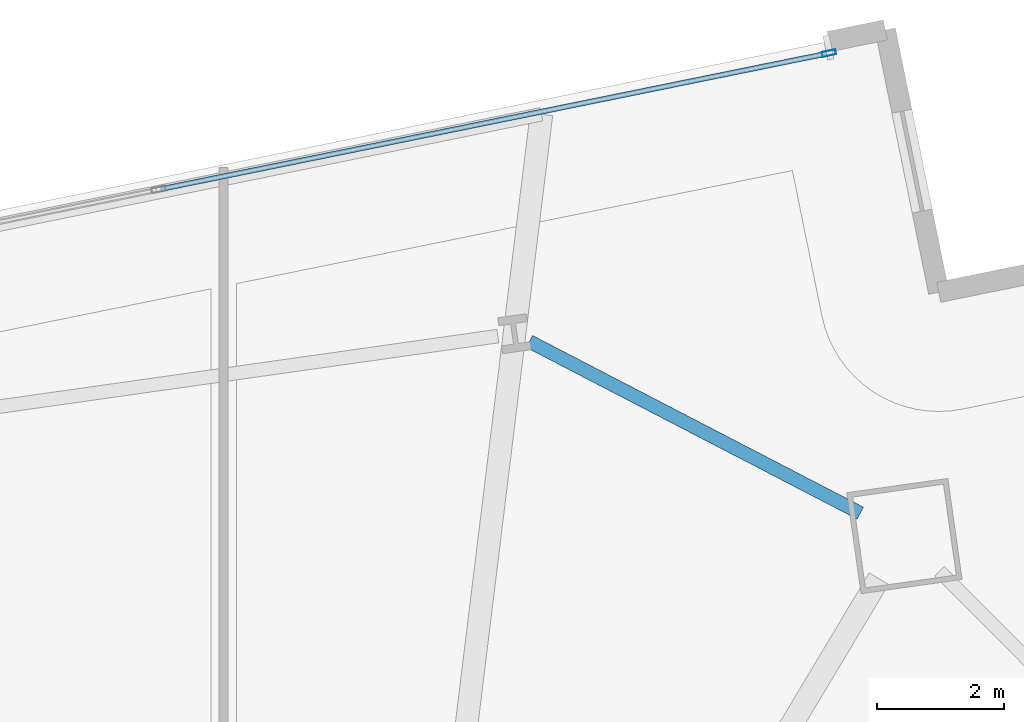
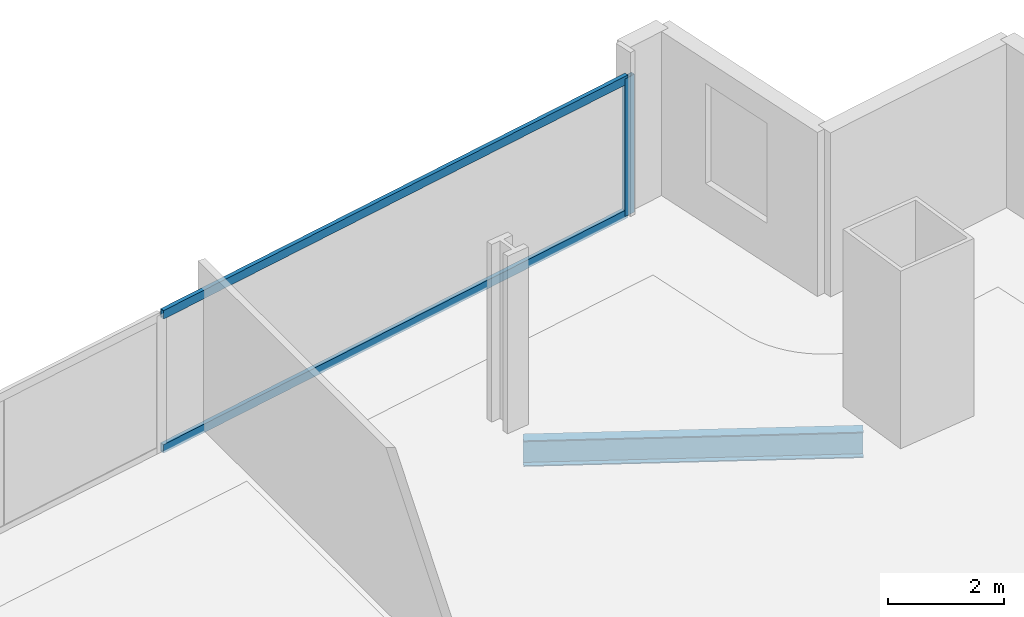
# One storey, part 22 of 33: 3 members, 1 beam, 1 element without a shape of its own.
"""IFC4 building model written with IfcOpenShell, lengths in metres."""

from ifc_helpers import new_model, si_unit, direction, frame, origin, origin_2d, place, context, subcontext, project, spatial, hollow_rectangle, i_section, extrude, material, material_profile, profile_set, type_object, element, aggregate, save


model = new_model("IFC4")

# Units and contexts
model_context = context("Model", 3, precision=1e-05, world=origin(), true_north=direction((0.0, 1.0)))
body_context = subcontext(model_context, "Body", "Model", "MODEL_VIEW")
ifc_project = project(units=[si_unit("LENGTHUNIT", "METRE"), si_unit("AREAUNIT", "SQUARE_METRE"), si_unit("VOLUMEUNIT", "CUBIC_METRE"), si_unit("PLANEANGLEUNIT", "RADIAN"), si_unit("MASSUNIT", "GRAM", prefix="KILO")], contexts=[model_context])

# Site, building, storey
site_placement = place(None, origin())
site = spatial("IfcSite", under=ifc_project, at=site_placement, CompositionType="ELEMENT")
building_placement = place(site_placement, origin())
building = spatial("IfcBuilding", under=site, at=building_placement, Name="Haldenkirk Collegiate Tower", CompositionType="ELEMENT")
storey_placement = place(building_placement, frame((0.0, 0.0, 66.449951171875)))
storey = spatial("IfcBuildingStorey", under=building, at=storey_placement, Name="L15", CompositionType="ELEMENT", Elevation=66.449951171875)

# Beam
ifc_material_1 = material(Name="Steel ASTM A992 Grade 50", Category="steel")
ifc_material_profile_1 = material_profile(ifc_material_1, i_section(OverallWidth=0.2119140625, OverallDepth=0.5439453125, WebThickness=0.01318359375, FlangeThickness=0.021240234375, at=origin_2d()), Name="W21X83")
ifc_profile_set_1 = profile_set([ifc_material_profile_1], Name="Steel ASTM A992 Grade 50")
beam_type = type_object("IfcBeamType", Name="BM-SPANDREL-W21X83", PredefinedType="SPANDREL", material=ifc_profile_set_1)
beam_placement = place(storey_placement, frame((52.4921875, 48.029296875, -0.58203125), z_axis=(-0.887648364794, 0.460521856678, 0.0), x_axis=(-0.460521856678, -0.887648364794, 0.0)))
element("IfcBeam", 1, at=beam_placement, inside=storey, type_object=beam_type, Name="L15 perimeter spandrel beam 09", PredefinedType="SPANDREL", context=body_context, shape_type="SweptSolid", body=[
    extrude(i_section(OverallWidth=0.2119140625, OverallDepth=0.5439453125, WebThickness=0.01318359375, FlangeThickness=0.021240234375, at=origin_2d()), origin(), (0.0, 0.0, 1.0), 5.848388671875),
])

# Curtain wall, members
ifc_material_2 = material(Name="Anodised architectural bronze aluminium", Category="aluminium")
curtain_wall_type = type_object("IfcCurtainWallType", Name="CW-SYS1-CONVEX-LOW", PredefinedType="USERDEFINED", material=ifc_material_2)
curtain_wall_placement = place(storey_placement, origin())
curtain_wall = element("IfcCurtainWall", 2, at=curtain_wall_placement, inside=storey, type_object=curtain_wall_type, Name="L15 Lower tower convex bronze-framed unitised curtain wall", ObjectType="UNITISED CURTAIN WALL", PredefinedType="USERDEFINED")
ifc_material_profile_2 = material_profile(ifc_material_2, hollow_rectangle(XDim=0.080078125, YDim=0.219970703125, WallThickness=0.0048828125, at=origin_2d()), Name="CW-MUL-1A")
ifc_profile_set_2 = profile_set([ifc_material_profile_2], Name="Anodised architectural bronze aluminium")
member_type_1 = type_object("IfcMemberType", Name="CW-MUL-1A", PredefinedType="MULLION", material=ifc_profile_set_2)
member_1_placement = place(storey_placement, frame((52.000244140625, 55.2470703125, 0.0), z_axis=(0.0, 0.0, 1.0), x_axis=(-0.199368665738, 0.979924555832, 0.0)))
member_1 = element("IfcMember", 3, at=member_1_placement, type_object=member_type_1, Name="CW-1A mullion 5", PredefinedType="MULLION", context=body_context, shape_type="SweptSolid", body=[
    extrude(hollow_rectangle(XDim=0.080078125, YDim=0.219970703125, WallThickness=0.0048828125, at=origin_2d()), origin(), (0.0, 0.0, 1.0), 2.89111328125),
])
ifc_material_profile_3 = material_profile(ifc_material_2, hollow_rectangle(XDim=0.080078125, YDim=0.179931640625, WallThickness=0.0048828125, at=origin_2d()), Name="CW-TRN-1A")
ifc_profile_set_3 = profile_set([ifc_material_profile_3], Name="Anodised architectural bronze aluminium")
member_type_2 = type_object("IfcMemberType", Name="CW-TRN-1A", PredefinedType="USERDEFINED", material=ifc_profile_set_3)
member_2_placement = place(storey_placement, frame((41.52001953125, 53.114990234375, 0.0400390625), z_axis=(0.979924903774, 0.199366955544, 0.0), x_axis=(-0.199366955544, 0.979924903774, 0.0)))
member_2 = element("IfcMember", 4, at=member_2_placement, type_object=member_type_2, Name="CW-1A transom 4.1", ObjectType="TRANSOM", PredefinedType="USERDEFINED", context=body_context, shape_type="SweptSolid", body=[
    extrude(hollow_rectangle(XDim=0.080078125, YDim=0.179931640625, WallThickness=0.0048828125, at=origin_2d()), origin(), (0.0, 0.0, 1.0), 10.655029296875),
])
member_3_placement = place(storey_placement, frame((41.52001953125, 53.114990234375, 2.85107421875), z_axis=(0.979924903774, 0.199366955544, 0.0), x_axis=(-0.199366955544, 0.979924903774, 0.0)))
member_3 = element("IfcMember", 5, at=member_3_placement, type_object=member_type_2, Name="CW-1A transom 4.2", ObjectType="TRANSOM", PredefinedType="USERDEFINED", context=body_context, shape_type="SweptSolid", body=[
    extrude(hollow_rectangle(XDim=0.080078125, YDim=0.179931640625, WallThickness=0.0048828125, at=origin_2d()), origin(), (0.0, 0.0, 1.0), 10.655029296875),
])
aggregate(curtain_wall, [member_1, member_2, member_3])

save(model, "model.ifc")
